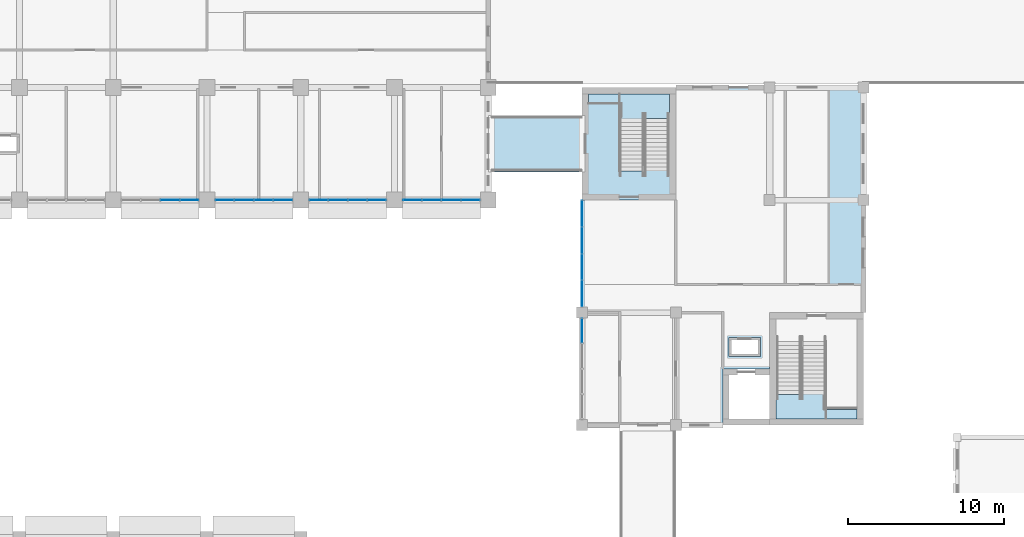
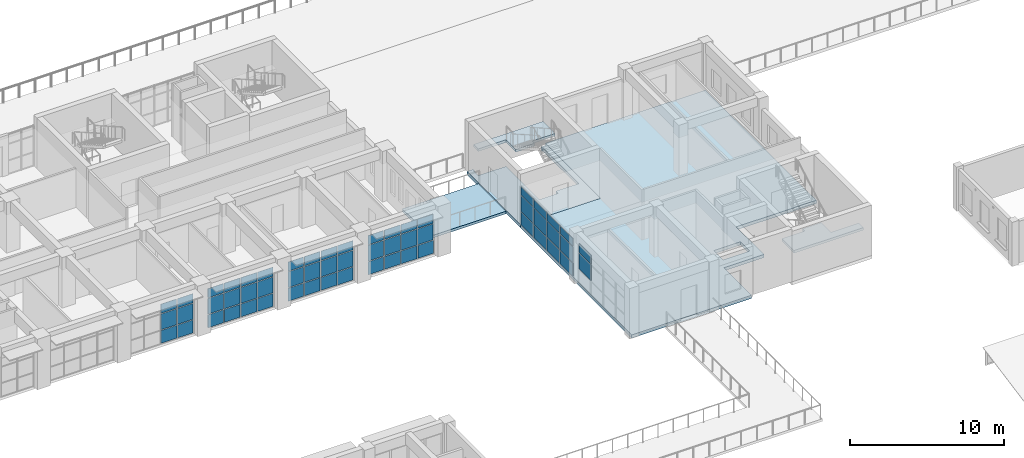
# One storey, part 63 of 101: 56 plates, 5 slabs, 8 elements without a shape of their own.
"""IFC4 building model written with IfcOpenShell, lengths in metres."""

from ifc_helpers import new_model, si_unit, direction, frame, origin, origin_2d, place, context, subcontext, project, spatial, polyline, rectangle, outline, extrude, material, layer, layer_set, type_object, element, aggregate, save


model = new_model("IFC4")

# Units and contexts
model_context = context("Model", 3, precision=1e-05, world=origin(), true_north=direction((0.0, 1.0)))
body_context = subcontext(model_context, "Body", "Model", "MODEL_VIEW")
ifc_project = project(units=[si_unit("LENGTHUNIT", "METRE"), si_unit("AREAUNIT", "SQUARE_METRE"), si_unit("VOLUMEUNIT", "CUBIC_METRE"), si_unit("PLANEANGLEUNIT", "RADIAN"), si_unit("MASSUNIT", "GRAM", prefix="KILO")], contexts=[model_context])

# Site, building, storey
site_placement = place(None, origin())
site = spatial("IfcSite", under=ifc_project, at=site_placement, CompositionType="ELEMENT")
building_placement = place(site_placement, origin())
building = spatial("IfcBuilding", under=site, at=building_placement, Name="Laocheng Heights Fire and Rescue Headquarters", CompositionType="ELEMENT")
storey_placement = place(building_placement, frame((0.0, 0.0, 8.39990234375)))
storey = spatial("IfcBuildingStorey", under=building, at=storey_placement, Name="L02", CompositionType="ELEMENT", Elevation=8.39990234375)

# Curtain wall, plates
ifc_material_1 = material(Name="Dark anodised aluminium unitised curtain wall, low-e double glazing", Category="aluminium")
curtain_wall_type_1 = type_object("IfcCurtainWallType", Name="CW 6850 x 3100 CREW COURT GLAZING", PredefinedType="NOTDEFINED", material=ifc_material_1)
curtain_wall_1_placement = place(storey_placement, origin())
curtain_wall_1 = element("IfcCurtainWall", 1, at=curtain_wall_1_placement, inside=storey, type_object=curtain_wall_type_1, Name="X5-W CREW WEST L02", PredefinedType="NOTDEFINED")
ifc_material_2 = material(Name="Laminated safety glass, low-e double glazed unit", Category="glass")
ifc_layer_1 = layer(ifc_material_2, 0.0400390625)
ifc_layer_set_1 = layer_set([ifc_layer_1], Name="Laminated safety glass, low-e double glazed unit")
plate_type_1 = type_object("IfcPlateType", Name="CW LAMINATED SAFETY PANEL 40 W", PredefinedType="CURTAIN_PANEL", material=ifc_layer_set_1)
plate_1_placement = place(storey_placement, frame((90.0, 44.421142578125, 0.050048828125), z_axis=(0.0, 0.0, 1.0), x_axis=(0.0, 1.0, 0.0)))
plate_1 = element("IfcPlate", 2, at=plate_1_placement, type_object=plate_type_1, Name="X5-W panel 1.1", PredefinedType="CURTAIN_PANEL", context=body_context, shape_type="SweptSolid", body=[
    extrude(rectangle(XDim=1.62255859375, YDim=0.0400390625, at=origin_2d()), origin(), (0.0, 0.0, 1.0), 1.02490234375),
])
plate_2_placement = place(storey_placement, frame((90.0, 46.11865234375, 0.050048828125), z_axis=(0.0, 0.0, 1.0), x_axis=(0.0, 1.0, 0.0)))
plate_2 = element("IfcPlate", 3, at=plate_2_placement, type_object=plate_type_1, Name="X5-W panel 2.1", PredefinedType="CURTAIN_PANEL", context=body_context, shape_type="SweptSolid", body=[
    extrude(rectangle(XDim=1.652587890625, YDim=0.0400390625, at=origin_2d()), origin(), (0.0, 0.0, 1.0), 1.02490234375),
])
plate_3_placement = place(storey_placement, frame((90.0, 47.831298828125, 0.050048828125), z_axis=(0.0, 0.0, 1.0), x_axis=(0.0, 1.0, 0.0)))
plate_3 = element("IfcPlate", 4, at=plate_3_placement, type_object=plate_type_1, Name="X5-W panel 3.1", PredefinedType="CURTAIN_PANEL", context=body_context, shape_type="SweptSolid", body=[
    extrude(rectangle(XDim=1.652587890625, YDim=0.0400390625, at=origin_2d()), origin(), (0.0, 0.0, 1.0), 1.02490234375),
])
plate_4_placement = place(storey_placement, frame((90.0, 49.52880859375, 0.050048828125), z_axis=(0.0, 0.0, 1.0), x_axis=(0.0, 1.0, 0.0)))
plate_4 = element("IfcPlate", 5, at=plate_4_placement, type_object=plate_type_1, Name="X5-W panel 4.1", PredefinedType="CURTAIN_PANEL", context=body_context, shape_type="SweptSolid", body=[
    extrude(rectangle(XDim=1.62255859375, YDim=0.0400390625, at=origin_2d()), origin(), (0.0, 0.0, 1.0), 1.02490234375),
])

ifc_material_3 = material(Name="Dark anodised aluminium unitised curtain wall, low-e double glazing", Category="aluminium")
curtain_wall_type_2 = type_object("IfcCurtainWallType", Name="CW 5000 x 3200 HQ SOUTH RIBBON", PredefinedType="NOTDEFINED", material=ifc_material_3)
curtain_wall_2_placement = place(storey_placement, origin())
curtain_wall_2 = element("IfcCurtainWall", 6, at=curtain_wall_2_placement, inside=storey, type_object=curtain_wall_type_2, Name="X10-X HQ SOUTH L02", PredefinedType="NOTDEFINED")
ifc_material_4 = material(Name="Laminated safety glass, low-e double glazed unit", Category="glass")
ifc_layer_2 = layer(ifc_material_4, 0.0400390625)
ifc_layer_set_2 = layer_set([ifc_layer_2], Name="Laminated safety glass, low-e double glazed unit")
plate_type_2 = type_object("IfcPlateType", Name="CW LAMINATED SAFETY PANEL 40 X", PredefinedType="CURTAIN_PANEL", material=ifc_layer_set_2)
plate_5_placement = place(storey_placement, frame((63.625, 50.39990234375, 0.050048828125), z_axis=(0.0, 0.0, 1.0), x_axis=(1.0, 0.0, 0.0)))
plate_5 = element("IfcPlate", 7, at=plate_5_placement, type_object=plate_type_2, Name="X10-X panel 3.1", PredefinedType="CURTAIN_PANEL", context=body_context, shape_type="SweptSolid", body=[
    extrude(rectangle(XDim=1.18994140625, YDim=0.0400390625, at=origin_2d()), origin(), (0.0, 0.0, 1.0), 1.02490234375),
])
plate_6_placement = place(storey_placement, frame((64.860107421875, 50.39990234375, 0.050048828125), z_axis=(0.0, 0.0, 1.0), x_axis=(1.0, 0.0, 0.0)))
plate_6 = element("IfcPlate", 8, at=plate_6_placement, type_object=plate_type_2, Name="X10-X panel 4.1", PredefinedType="CURTAIN_PANEL", context=body_context, shape_type="SweptSolid", body=[
    extrude(rectangle(XDim=1.159912109375, YDim=0.0400390625, at=origin_2d()), origin(), (0.0, 0.0, 1.0), 1.02490234375),
])

curtain_wall_3_placement = place(storey_placement, origin())
curtain_wall_3 = element("IfcCurtainWall", 9, at=curtain_wall_3_placement, inside=storey, type_object=curtain_wall_type_2, Name="X10-X HQ SOUTH L02", PredefinedType="NOTDEFINED")
plate_7_placement = place(storey_placement, frame((67.139892578125, 50.39990234375, 0.050048828125), z_axis=(0.0, 0.0, 1.0), x_axis=(1.0, 0.0, 0.0)))
plate_7 = element("IfcPlate", 10, at=plate_7_placement, type_object=plate_type_2, Name="X10-X panel 1.1", PredefinedType="CURTAIN_PANEL", context=body_context, shape_type="SweptSolid", body=[
    extrude(rectangle(XDim=1.159912109375, YDim=0.0400390625, at=origin_2d()), origin(), (0.0, 0.0, 1.0), 1.02490234375),
])
plate_8_placement = place(storey_placement, frame((68.375, 50.39990234375, 0.050048828125), z_axis=(0.0, 0.0, 1.0), x_axis=(1.0, 0.0, 0.0)))
plate_8 = element("IfcPlate", 11, at=plate_8_placement, type_object=plate_type_2, Name="X10-X panel 2.1", PredefinedType="CURTAIN_PANEL", context=body_context, shape_type="SweptSolid", body=[
    extrude(rectangle(XDim=1.18994140625, YDim=0.0400390625, at=origin_2d()), origin(), (0.0, 0.0, 1.0), 1.02490234375),
])
plate_9_placement = place(storey_placement, frame((69.625, 50.39990234375, 0.050048828125), z_axis=(0.0, 0.0, 1.0), x_axis=(1.0, 0.0, 0.0)))
plate_9 = element("IfcPlate", 12, at=plate_9_placement, type_object=plate_type_2, Name="X10-X panel 3.1", PredefinedType="CURTAIN_PANEL", context=body_context, shape_type="SweptSolid", body=[
    extrude(rectangle(XDim=1.18994140625, YDim=0.0400390625, at=origin_2d()), origin(), (0.0, 0.0, 1.0), 1.02490234375),
])
plate_10_placement = place(storey_placement, frame((70.860107421875, 50.39990234375, 0.050048828125), z_axis=(0.0, 0.0, 1.0), x_axis=(1.0, 0.0, 0.0)))
plate_10 = element("IfcPlate", 13, at=plate_10_placement, type_object=plate_type_2, Name="X10-X panel 4.1", PredefinedType="CURTAIN_PANEL", context=body_context, shape_type="SweptSolid", body=[
    extrude(rectangle(XDim=1.159912109375, YDim=0.0400390625, at=origin_2d()), origin(), (0.0, 0.0, 1.0), 1.02490234375),
])

curtain_wall_4_placement = place(storey_placement, origin())
curtain_wall_4 = element("IfcCurtainWall", 14, at=curtain_wall_4_placement, inside=storey, type_object=curtain_wall_type_2, Name="X10-X HQ SOUTH L02", PredefinedType="NOTDEFINED")
plate_11_placement = place(storey_placement, frame((73.139892578125, 50.39990234375, 0.050048828125), z_axis=(0.0, 0.0, 1.0), x_axis=(1.0, 0.0, 0.0)))
plate_11 = element("IfcPlate", 15, at=plate_11_placement, type_object=plate_type_2, Name="X10-X panel 1.1", PredefinedType="CURTAIN_PANEL", context=body_context, shape_type="SweptSolid", body=[
    extrude(rectangle(XDim=1.159912109375, YDim=0.0400390625, at=origin_2d()), origin(), (0.0, 0.0, 1.0), 1.02490234375),
])
plate_12_placement = place(storey_placement, frame((74.375, 50.39990234375, 0.050048828125), z_axis=(0.0, 0.0, 1.0), x_axis=(1.0, 0.0, 0.0)))
plate_12 = element("IfcPlate", 16, at=plate_12_placement, type_object=plate_type_2, Name="X10-X panel 2.1", PredefinedType="CURTAIN_PANEL", context=body_context, shape_type="SweptSolid", body=[
    extrude(rectangle(XDim=1.18994140625, YDim=0.0400390625, at=origin_2d()), origin(), (0.0, 0.0, 1.0), 1.02490234375),
])
plate_13_placement = place(storey_placement, frame((75.625, 50.39990234375, 0.050048828125), z_axis=(0.0, 0.0, 1.0), x_axis=(1.0, 0.0, 0.0)))
plate_13 = element("IfcPlate", 17, at=plate_13_placement, type_object=plate_type_2, Name="X10-X panel 3.1", PredefinedType="CURTAIN_PANEL", context=body_context, shape_type="SweptSolid", body=[
    extrude(rectangle(XDim=1.18994140625, YDim=0.0400390625, at=origin_2d()), origin(), (0.0, 0.0, 1.0), 1.02490234375),
])
plate_14_placement = place(storey_placement, frame((76.860107421875, 50.39990234375, 0.050048828125), z_axis=(0.0, 0.0, 1.0), x_axis=(1.0, 0.0, 0.0)))
plate_14 = element("IfcPlate", 18, at=plate_14_placement, type_object=plate_type_2, Name="X10-X panel 4.1", PredefinedType="CURTAIN_PANEL", context=body_context, shape_type="SweptSolid", body=[
    extrude(rectangle(XDim=1.159912109375, YDim=0.0400390625, at=origin_2d()), origin(), (0.0, 0.0, 1.0), 1.02490234375),
])

curtain_wall_5_placement = place(storey_placement, origin())
curtain_wall_5 = element("IfcCurtainWall", 19, at=curtain_wall_5_placement, inside=storey, type_object=curtain_wall_type_2, Name="X10-X HQ SOUTH L02", PredefinedType="NOTDEFINED")
plate_15_placement = place(storey_placement, frame((79.139892578125, 50.39990234375, 0.050048828125), z_axis=(0.0, 0.0, 1.0), x_axis=(1.0, 0.0, 0.0)))
plate_15 = element("IfcPlate", 20, at=plate_15_placement, type_object=plate_type_2, Name="X10-X panel 1.1", PredefinedType="CURTAIN_PANEL", context=body_context, shape_type="SweptSolid", body=[
    extrude(rectangle(XDim=1.159912109375, YDim=0.0400390625, at=origin_2d()), origin(), (0.0, 0.0, 1.0), 1.02490234375),
])
plate_16_placement = place(storey_placement, frame((80.375, 50.39990234375, 0.050048828125), z_axis=(0.0, 0.0, 1.0), x_axis=(1.0, 0.0, 0.0)))
plate_16 = element("IfcPlate", 21, at=plate_16_placement, type_object=plate_type_2, Name="X10-X panel 2.1", PredefinedType="CURTAIN_PANEL", context=body_context, shape_type="SweptSolid", body=[
    extrude(rectangle(XDim=1.18994140625, YDim=0.0400390625, at=origin_2d()), origin(), (0.0, 0.0, 1.0), 1.02490234375),
])
plate_17_placement = place(storey_placement, frame((81.625, 50.39990234375, 0.050048828125), z_axis=(0.0, 0.0, 1.0), x_axis=(1.0, 0.0, 0.0)))
plate_17 = element("IfcPlate", 22, at=plate_17_placement, type_object=plate_type_2, Name="X10-X panel 3.1", PredefinedType="CURTAIN_PANEL", context=body_context, shape_type="SweptSolid", body=[
    extrude(rectangle(XDim=1.18994140625, YDim=0.0400390625, at=origin_2d()), origin(), (0.0, 0.0, 1.0), 1.02490234375),
])
plate_18_placement = place(storey_placement, frame((82.860107421875, 50.39990234375, 0.050048828125), z_axis=(0.0, 0.0, 1.0), x_axis=(1.0, 0.0, 0.0)))
plate_18 = element("IfcPlate", 23, at=plate_18_placement, type_object=plate_type_2, Name="X10-X panel 4.1", PredefinedType="CURTAIN_PANEL", context=body_context, shape_type="SweptSolid", body=[
    extrude(rectangle(XDim=1.159912109375, YDim=0.0400390625, at=origin_2d()), origin(), (0.0, 0.0, 1.0), 1.02490234375),
])

ifc_material_5 = material(Name="Dark anodised aluminium unitised curtain wall, low-e double glazing", Category="aluminium")
curtain_wall_type_3 = type_object("IfcCurtainWallType", Name="CW 6500 x 3200 CREW COURT GLAZING", PredefinedType="NOTDEFINED", material=ifc_material_5)
curtain_wall_6_placement = place(storey_placement, origin())
curtain_wall_6 = element("IfcCurtainWall", 24, at=curtain_wall_6_placement, inside=storey, type_object=curtain_wall_type_3, Name="X4-W CREW WEST L02", PredefinedType="NOTDEFINED")
ifc_material_6 = material(Name="Low-e double glazed unit, laminated inner pane")
ifc_layer_3 = layer(ifc_material_6, 0.028076171875)
ifc_layer_set_3 = layer_set([ifc_layer_3], Name="Low-e double glazed unit, laminated inner pane")
plate_type_3 = type_object("IfcPlateType", Name="CW VISION PANEL 28 W", PredefinedType="CURTAIN_PANEL", material=ifc_layer_set_3)
plate_19_placement = place(storey_placement, frame((90.0, 42.0224609375, 1.125), z_axis=(0.0, 0.0, 1.0), x_axis=(0.0, 1.0, 0.0)))
plate_19 = element("IfcPlate", 25, at=plate_19_placement, type_object=plate_type_3, Name="X4-W panel 4.2", PredefinedType="CURTAIN_PANEL", context=body_context, shape_type="SweptSolid", body=[
    extrude(rectangle(XDim=1.534912109375, YDim=0.028076171875, at=origin_2d()), origin(), (0.0, 0.0, 1.0), 1.25),
])
plate_20_placement = place(storey_placement, frame((90.0, 42.0224609375, 2.425048828125), z_axis=(0.0, 0.0, 1.0), x_axis=(0.0, 1.0, 0.0)))
plate_20 = element("IfcPlate", 26, at=plate_20_placement, type_object=plate_type_3, Name="X4-W panel 4.3", PredefinedType="CURTAIN_PANEL", context=body_context, shape_type="SweptSolid", body=[
    extrude(rectangle(XDim=1.534912109375, YDim=0.028076171875, at=origin_2d()), origin(), (0.0, 0.0, 1.0), 0.72509765625),
])
aggregate(curtain_wall_6, [plate_19, plate_20])

# Plate
plate_21_placement = place(storey_placement, frame((90.0, 44.421142578125, 1.125), z_axis=(0.0, 0.0, 1.0), x_axis=(0.0, 1.0, 0.0)))
plate_21 = element("IfcPlate", 27, at=plate_21_placement, type_object=plate_type_3, Name="X5-W panel 1.2", PredefinedType="CURTAIN_PANEL", context=body_context, shape_type="SweptSolid", body=[
    extrude(rectangle(XDim=1.62255859375, YDim=0.028076171875, at=origin_2d()), origin(), (0.0, 0.0, 1.0), 1.25),
])

plate_22_placement = place(storey_placement, frame((90.0, 44.421142578125, 2.425048828125), z_axis=(0.0, 0.0, 1.0), x_axis=(0.0, 1.0, 0.0)))
plate_22 = element("IfcPlate", 28, at=plate_22_placement, type_object=plate_type_3, Name="X5-W panel 1.3", PredefinedType="CURTAIN_PANEL", context=body_context, shape_type="SweptSolid", body=[
    extrude(rectangle(XDim=1.62255859375, YDim=0.028076171875, at=origin_2d()), origin(), (0.0, 0.0, 1.0), 0.625),
])

plate_23_placement = place(storey_placement, frame((90.0, 46.11865234375, 1.125), z_axis=(0.0, 0.0, 1.0), x_axis=(0.0, 1.0, 0.0)))
plate_23 = element("IfcPlate", 29, at=plate_23_placement, type_object=plate_type_3, Name="X5-W panel 2.2", PredefinedType="CURTAIN_PANEL", context=body_context, shape_type="SweptSolid", body=[
    extrude(rectangle(XDim=1.652587890625, YDim=0.028076171875, at=origin_2d()), origin(), (0.0, 0.0, 1.0), 1.25),
])

plate_24_placement = place(storey_placement, frame((90.0, 46.11865234375, 2.425048828125), z_axis=(0.0, 0.0, 1.0), x_axis=(0.0, 1.0, 0.0)))
plate_24 = element("IfcPlate", 30, at=plate_24_placement, type_object=plate_type_3, Name="X5-W panel 2.3", PredefinedType="CURTAIN_PANEL", context=body_context, shape_type="SweptSolid", body=[
    extrude(rectangle(XDim=1.652587890625, YDim=0.028076171875, at=origin_2d()), origin(), (0.0, 0.0, 1.0), 0.625),
])

plate_25_placement = place(storey_placement, frame((90.0, 47.831298828125, 1.125), z_axis=(0.0, 0.0, 1.0), x_axis=(0.0, 1.0, 0.0)))
plate_25 = element("IfcPlate", 31, at=plate_25_placement, type_object=plate_type_3, Name="X5-W panel 3.2", PredefinedType="CURTAIN_PANEL", context=body_context, shape_type="SweptSolid", body=[
    extrude(rectangle(XDim=1.652587890625, YDim=0.028076171875, at=origin_2d()), origin(), (0.0, 0.0, 1.0), 1.25),
])

plate_26_placement = place(storey_placement, frame((90.0, 47.831298828125, 2.425048828125), z_axis=(0.0, 0.0, 1.0), x_axis=(0.0, 1.0, 0.0)))
plate_26 = element("IfcPlate", 32, at=plate_26_placement, type_object=plate_type_3, Name="X5-W panel 3.3", PredefinedType="CURTAIN_PANEL", context=body_context, shape_type="SweptSolid", body=[
    extrude(rectangle(XDim=1.652587890625, YDim=0.028076171875, at=origin_2d()), origin(), (0.0, 0.0, 1.0), 0.625),
])

plate_27_placement = place(storey_placement, frame((90.0, 49.52880859375, 1.125), z_axis=(0.0, 0.0, 1.0), x_axis=(0.0, 1.0, 0.0)))
plate_27 = element("IfcPlate", 33, at=plate_27_placement, type_object=plate_type_3, Name="X5-W panel 4.2", PredefinedType="CURTAIN_PANEL", context=body_context, shape_type="SweptSolid", body=[
    extrude(rectangle(XDim=1.62255859375, YDim=0.028076171875, at=origin_2d()), origin(), (0.0, 0.0, 1.0), 1.25),
])

plate_28_placement = place(storey_placement, frame((90.0, 49.52880859375, 2.425048828125), z_axis=(0.0, 0.0, 1.0), x_axis=(0.0, 1.0, 0.0)))
plate_28 = element("IfcPlate", 34, at=plate_28_placement, type_object=plate_type_3, Name="X5-W panel 4.3", PredefinedType="CURTAIN_PANEL", context=body_context, shape_type="SweptSolid", body=[
    extrude(rectangle(XDim=1.62255859375, YDim=0.028076171875, at=origin_2d()), origin(), (0.0, 0.0, 1.0), 0.625),
])

aggregate(curtain_wall_1, [plate_1, plate_21, plate_22, plate_2, plate_23, plate_24, plate_3, plate_25, plate_26, plate_4, plate_27, plate_28])

ifc_material_7 = material(Name="Low-e double glazed unit, laminated inner pane")
ifc_layer_4 = layer(ifc_material_7, 0.028076171875)
ifc_layer_set_4 = layer_set([ifc_layer_4], Name="Low-e double glazed unit, laminated inner pane")
plate_type_4 = type_object("IfcPlateType", Name="CW VISION PANEL 28 X", PredefinedType="CURTAIN_PANEL", material=ifc_layer_set_4)
plate_29_placement = place(storey_placement, frame((63.625, 50.39990234375, 1.125), z_axis=(0.0, 0.0, 1.0), x_axis=(1.0, 0.0, 0.0)))
plate_29 = element("IfcPlate", 35, at=plate_29_placement, type_object=plate_type_4, Name="X10-X panel 3.2", PredefinedType="CURTAIN_PANEL", context=body_context, shape_type="SweptSolid", body=[
    extrude(rectangle(XDim=1.18994140625, YDim=0.028076171875, at=origin_2d()), origin(), (0.0, 0.0, 1.0), 1.25),
])

plate_30_placement = place(storey_placement, frame((63.625, 50.39990234375, 2.425048828125), z_axis=(0.0, 0.0, 1.0), x_axis=(1.0, 0.0, 0.0)))
plate_30 = element("IfcPlate", 36, at=plate_30_placement, type_object=plate_type_4, Name="X10-X panel 3.3", PredefinedType="CURTAIN_PANEL", context=body_context, shape_type="SweptSolid", body=[
    extrude(rectangle(XDim=1.18994140625, YDim=0.028076171875, at=origin_2d()), origin(), (0.0, 0.0, 1.0), 0.72509765625),
])

plate_31_placement = place(storey_placement, frame((64.860107421875, 50.39990234375, 1.125), z_axis=(0.0, 0.0, 1.0), x_axis=(1.0, 0.0, 0.0)))
plate_31 = element("IfcPlate", 37, at=plate_31_placement, type_object=plate_type_4, Name="X10-X panel 4.2", PredefinedType="CURTAIN_PANEL", context=body_context, shape_type="SweptSolid", body=[
    extrude(rectangle(XDim=1.159912109375, YDim=0.028076171875, at=origin_2d()), origin(), (0.0, 0.0, 1.0), 1.25),
])

plate_32_placement = place(storey_placement, frame((64.860107421875, 50.39990234375, 2.425048828125), z_axis=(0.0, 0.0, 1.0), x_axis=(1.0, 0.0, 0.0)))
plate_32 = element("IfcPlate", 38, at=plate_32_placement, type_object=plate_type_4, Name="X10-X panel 4.3", PredefinedType="CURTAIN_PANEL", context=body_context, shape_type="SweptSolid", body=[
    extrude(rectangle(XDim=1.159912109375, YDim=0.028076171875, at=origin_2d()), origin(), (0.0, 0.0, 1.0), 0.72509765625),
])

aggregate(curtain_wall_2, [plate_5, plate_29, plate_30, plate_6, plate_31, plate_32])

plate_33_placement = place(storey_placement, frame((67.139892578125, 50.39990234375, 1.125), z_axis=(0.0, 0.0, 1.0), x_axis=(1.0, 0.0, 0.0)))
plate_33 = element("IfcPlate", 39, at=plate_33_placement, type_object=plate_type_4, Name="X10-X panel 1.2", PredefinedType="CURTAIN_PANEL", context=body_context, shape_type="SweptSolid", body=[
    extrude(rectangle(XDim=1.159912109375, YDim=0.028076171875, at=origin_2d()), origin(), (0.0, 0.0, 1.0), 1.25),
])

plate_34_placement = place(storey_placement, frame((67.139892578125, 50.39990234375, 2.425048828125), z_axis=(0.0, 0.0, 1.0), x_axis=(1.0, 0.0, 0.0)))
plate_34 = element("IfcPlate", 40, at=plate_34_placement, type_object=plate_type_4, Name="X10-X panel 1.3", PredefinedType="CURTAIN_PANEL", context=body_context, shape_type="SweptSolid", body=[
    extrude(rectangle(XDim=1.159912109375, YDim=0.028076171875, at=origin_2d()), origin(), (0.0, 0.0, 1.0), 0.72509765625),
])

plate_35_placement = place(storey_placement, frame((68.375, 50.39990234375, 1.125), z_axis=(0.0, 0.0, 1.0), x_axis=(1.0, 0.0, 0.0)))
plate_35 = element("IfcPlate", 41, at=plate_35_placement, type_object=plate_type_4, Name="X10-X panel 2.2", PredefinedType="CURTAIN_PANEL", context=body_context, shape_type="SweptSolid", body=[
    extrude(rectangle(XDim=1.18994140625, YDim=0.028076171875, at=origin_2d()), origin(), (0.0, 0.0, 1.0), 1.25),
])

plate_36_placement = place(storey_placement, frame((68.375, 50.39990234375, 2.425048828125), z_axis=(0.0, 0.0, 1.0), x_axis=(1.0, 0.0, 0.0)))
plate_36 = element("IfcPlate", 42, at=plate_36_placement, type_object=plate_type_4, Name="X10-X panel 2.3", PredefinedType="CURTAIN_PANEL", context=body_context, shape_type="SweptSolid", body=[
    extrude(rectangle(XDim=1.18994140625, YDim=0.028076171875, at=origin_2d()), origin(), (0.0, 0.0, 1.0), 0.72509765625),
])

plate_37_placement = place(storey_placement, frame((69.625, 50.39990234375, 1.125), z_axis=(0.0, 0.0, 1.0), x_axis=(1.0, 0.0, 0.0)))
plate_37 = element("IfcPlate", 43, at=plate_37_placement, type_object=plate_type_4, Name="X10-X panel 3.2", PredefinedType="CURTAIN_PANEL", context=body_context, shape_type="SweptSolid", body=[
    extrude(rectangle(XDim=1.18994140625, YDim=0.028076171875, at=origin_2d()), origin(), (0.0, 0.0, 1.0), 1.25),
])

plate_38_placement = place(storey_placement, frame((69.625, 50.39990234375, 2.425048828125), z_axis=(0.0, 0.0, 1.0), x_axis=(1.0, 0.0, 0.0)))
plate_38 = element("IfcPlate", 44, at=plate_38_placement, type_object=plate_type_4, Name="X10-X panel 3.3", PredefinedType="CURTAIN_PANEL", context=body_context, shape_type="SweptSolid", body=[
    extrude(rectangle(XDim=1.18994140625, YDim=0.028076171875, at=origin_2d()), origin(), (0.0, 0.0, 1.0), 0.72509765625),
])

plate_39_placement = place(storey_placement, frame((70.860107421875, 50.39990234375, 1.125), z_axis=(0.0, 0.0, 1.0), x_axis=(1.0, 0.0, 0.0)))
plate_39 = element("IfcPlate", 45, at=plate_39_placement, type_object=plate_type_4, Name="X10-X panel 4.2", PredefinedType="CURTAIN_PANEL", context=body_context, shape_type="SweptSolid", body=[
    extrude(rectangle(XDim=1.159912109375, YDim=0.028076171875, at=origin_2d()), origin(), (0.0, 0.0, 1.0), 1.25),
])

plate_40_placement = place(storey_placement, frame((70.860107421875, 50.39990234375, 2.425048828125), z_axis=(0.0, 0.0, 1.0), x_axis=(1.0, 0.0, 0.0)))
plate_40 = element("IfcPlate", 46, at=plate_40_placement, type_object=plate_type_4, Name="X10-X panel 4.3", PredefinedType="CURTAIN_PANEL", context=body_context, shape_type="SweptSolid", body=[
    extrude(rectangle(XDim=1.159912109375, YDim=0.028076171875, at=origin_2d()), origin(), (0.0, 0.0, 1.0), 0.72509765625),
])

aggregate(curtain_wall_3, [plate_7, plate_33, plate_34, plate_8, plate_35, plate_36, plate_9, plate_37, plate_38, plate_10, plate_39, plate_40])

plate_41_placement = place(storey_placement, frame((73.139892578125, 50.39990234375, 1.125), z_axis=(0.0, 0.0, 1.0), x_axis=(1.0, 0.0, 0.0)))
plate_41 = element("IfcPlate", 47, at=plate_41_placement, type_object=plate_type_4, Name="X10-X panel 1.2", PredefinedType="CURTAIN_PANEL", context=body_context, shape_type="SweptSolid", body=[
    extrude(rectangle(XDim=1.159912109375, YDim=0.028076171875, at=origin_2d()), origin(), (0.0, 0.0, 1.0), 1.25),
])

plate_42_placement = place(storey_placement, frame((73.139892578125, 50.39990234375, 2.425048828125), z_axis=(0.0, 0.0, 1.0), x_axis=(1.0, 0.0, 0.0)))
plate_42 = element("IfcPlate", 48, at=plate_42_placement, type_object=plate_type_4, Name="X10-X panel 1.3", PredefinedType="CURTAIN_PANEL", context=body_context, shape_type="SweptSolid", body=[
    extrude(rectangle(XDim=1.159912109375, YDim=0.028076171875, at=origin_2d()), origin(), (0.0, 0.0, 1.0), 0.72509765625),
])

plate_43_placement = place(storey_placement, frame((74.375, 50.39990234375, 1.125), z_axis=(0.0, 0.0, 1.0), x_axis=(1.0, 0.0, 0.0)))
plate_43 = element("IfcPlate", 49, at=plate_43_placement, type_object=plate_type_4, Name="X10-X panel 2.2", PredefinedType="CURTAIN_PANEL", context=body_context, shape_type="SweptSolid", body=[
    extrude(rectangle(XDim=1.18994140625, YDim=0.028076171875, at=origin_2d()), origin(), (0.0, 0.0, 1.0), 1.25),
])

plate_44_placement = place(storey_placement, frame((74.375, 50.39990234375, 2.425048828125), z_axis=(0.0, 0.0, 1.0), x_axis=(1.0, 0.0, 0.0)))
plate_44 = element("IfcPlate", 50, at=plate_44_placement, type_object=plate_type_4, Name="X10-X panel 2.3", PredefinedType="CURTAIN_PANEL", context=body_context, shape_type="SweptSolid", body=[
    extrude(rectangle(XDim=1.18994140625, YDim=0.028076171875, at=origin_2d()), origin(), (0.0, 0.0, 1.0), 0.72509765625),
])

plate_45_placement = place(storey_placement, frame((75.625, 50.39990234375, 1.125), z_axis=(0.0, 0.0, 1.0), x_axis=(1.0, 0.0, 0.0)))
plate_45 = element("IfcPlate", 51, at=plate_45_placement, type_object=plate_type_4, Name="X10-X panel 3.2", PredefinedType="CURTAIN_PANEL", context=body_context, shape_type="SweptSolid", body=[
    extrude(rectangle(XDim=1.18994140625, YDim=0.028076171875, at=origin_2d()), origin(), (0.0, 0.0, 1.0), 1.25),
])

plate_46_placement = place(storey_placement, frame((75.625, 50.39990234375, 2.425048828125), z_axis=(0.0, 0.0, 1.0), x_axis=(1.0, 0.0, 0.0)))
plate_46 = element("IfcPlate", 52, at=plate_46_placement, type_object=plate_type_4, Name="X10-X panel 3.3", PredefinedType="CURTAIN_PANEL", context=body_context, shape_type="SweptSolid", body=[
    extrude(rectangle(XDim=1.18994140625, YDim=0.028076171875, at=origin_2d()), origin(), (0.0, 0.0, 1.0), 0.72509765625),
])

plate_47_placement = place(storey_placement, frame((76.860107421875, 50.39990234375, 1.125), z_axis=(0.0, 0.0, 1.0), x_axis=(1.0, 0.0, 0.0)))
plate_47 = element("IfcPlate", 53, at=plate_47_placement, type_object=plate_type_4, Name="X10-X panel 4.2", PredefinedType="CURTAIN_PANEL", context=body_context, shape_type="SweptSolid", body=[
    extrude(rectangle(XDim=1.159912109375, YDim=0.028076171875, at=origin_2d()), origin(), (0.0, 0.0, 1.0), 1.25),
])

plate_48_placement = place(storey_placement, frame((76.860107421875, 50.39990234375, 2.425048828125), z_axis=(0.0, 0.0, 1.0), x_axis=(1.0, 0.0, 0.0)))
plate_48 = element("IfcPlate", 54, at=plate_48_placement, type_object=plate_type_4, Name="X10-X panel 4.3", PredefinedType="CURTAIN_PANEL", context=body_context, shape_type="SweptSolid", body=[
    extrude(rectangle(XDim=1.159912109375, YDim=0.028076171875, at=origin_2d()), origin(), (0.0, 0.0, 1.0), 0.72509765625),
])

aggregate(curtain_wall_4, [plate_11, plate_41, plate_42, plate_12, plate_43, plate_44, plate_13, plate_45, plate_46, plate_14, plate_47, plate_48])

plate_49_placement = place(storey_placement, frame((79.139892578125, 50.39990234375, 1.125), z_axis=(0.0, 0.0, 1.0), x_axis=(1.0, 0.0, 0.0)))
plate_49 = element("IfcPlate", 55, at=plate_49_placement, type_object=plate_type_4, Name="X10-X panel 1.2", PredefinedType="CURTAIN_PANEL", context=body_context, shape_type="SweptSolid", body=[
    extrude(rectangle(XDim=1.159912109375, YDim=0.028076171875, at=origin_2d()), origin(), (0.0, 0.0, 1.0), 1.25),
])

plate_50_placement = place(storey_placement, frame((79.139892578125, 50.39990234375, 2.425048828125), z_axis=(0.0, 0.0, 1.0), x_axis=(1.0, 0.0, 0.0)))
plate_50 = element("IfcPlate", 56, at=plate_50_placement, type_object=plate_type_4, Name="X10-X panel 1.3", PredefinedType="CURTAIN_PANEL", context=body_context, shape_type="SweptSolid", body=[
    extrude(rectangle(XDim=1.159912109375, YDim=0.028076171875, at=origin_2d()), origin(), (0.0, 0.0, 1.0), 0.72509765625),
])

plate_51_placement = place(storey_placement, frame((80.375, 50.39990234375, 1.125), z_axis=(0.0, 0.0, 1.0), x_axis=(1.0, 0.0, 0.0)))
plate_51 = element("IfcPlate", 57, at=plate_51_placement, type_object=plate_type_4, Name="X10-X panel 2.2", PredefinedType="CURTAIN_PANEL", context=body_context, shape_type="SweptSolid", body=[
    extrude(rectangle(XDim=1.18994140625, YDim=0.028076171875, at=origin_2d()), origin(), (0.0, 0.0, 1.0), 1.25),
])

plate_52_placement = place(storey_placement, frame((80.375, 50.39990234375, 2.425048828125), z_axis=(0.0, 0.0, 1.0), x_axis=(1.0, 0.0, 0.0)))
plate_52 = element("IfcPlate", 58, at=plate_52_placement, type_object=plate_type_4, Name="X10-X panel 2.3", PredefinedType="CURTAIN_PANEL", context=body_context, shape_type="SweptSolid", body=[
    extrude(rectangle(XDim=1.18994140625, YDim=0.028076171875, at=origin_2d()), origin(), (0.0, 0.0, 1.0), 0.72509765625),
])

plate_53_placement = place(storey_placement, frame((81.625, 50.39990234375, 1.125), z_axis=(0.0, 0.0, 1.0), x_axis=(1.0, 0.0, 0.0)))
plate_53 = element("IfcPlate", 59, at=plate_53_placement, type_object=plate_type_4, Name="X10-X panel 3.2", PredefinedType="CURTAIN_PANEL", context=body_context, shape_type="SweptSolid", body=[
    extrude(rectangle(XDim=1.18994140625, YDim=0.028076171875, at=origin_2d()), origin(), (0.0, 0.0, 1.0), 1.25),
])

plate_54_placement = place(storey_placement, frame((81.625, 50.39990234375, 2.425048828125), z_axis=(0.0, 0.0, 1.0), x_axis=(1.0, 0.0, 0.0)))
plate_54 = element("IfcPlate", 60, at=plate_54_placement, type_object=plate_type_4, Name="X10-X panel 3.3", PredefinedType="CURTAIN_PANEL", context=body_context, shape_type="SweptSolid", body=[
    extrude(rectangle(XDim=1.18994140625, YDim=0.028076171875, at=origin_2d()), origin(), (0.0, 0.0, 1.0), 0.72509765625),
])

plate_55_placement = place(storey_placement, frame((82.860107421875, 50.39990234375, 1.125), z_axis=(0.0, 0.0, 1.0), x_axis=(1.0, 0.0, 0.0)))
plate_55 = element("IfcPlate", 61, at=plate_55_placement, type_object=plate_type_4, Name="X10-X panel 4.2", PredefinedType="CURTAIN_PANEL", context=body_context, shape_type="SweptSolid", body=[
    extrude(rectangle(XDim=1.159912109375, YDim=0.028076171875, at=origin_2d()), origin(), (0.0, 0.0, 1.0), 1.25),
])

plate_56_placement = place(storey_placement, frame((82.860107421875, 50.39990234375, 2.425048828125), z_axis=(0.0, 0.0, 1.0), x_axis=(1.0, 0.0, 0.0)))
plate_56 = element("IfcPlate", 62, at=plate_56_placement, type_object=plate_type_4, Name="X10-X panel 4.3", PredefinedType="CURTAIN_PANEL", context=body_context, shape_type="SweptSolid", body=[
    extrude(rectangle(XDim=1.159912109375, YDim=0.028076171875, at=origin_2d()), origin(), (0.0, 0.0, 1.0), 0.72509765625),
])

aggregate(curtain_wall_5, [plate_15, plate_49, plate_50, plate_16, plate_51, plate_52, plate_17, plate_53, plate_54, plate_18, plate_55, plate_56])

# Slabs
ifc_material_8 = material(Name="Concrete C40", Category="concrete")
ifc_layer_5 = layer(ifc_material_8, 0.199951171875)
ifc_layer_set_5 = layer_set([ifc_layer_5], Name="Concrete C40")
slab_type_1 = type_object("IfcSlabType", Name="RC BRIDGE DECK 200", PredefinedType="FLOOR", material=ifc_layer_set_5)
slab_1_placement = place(storey_placement, frame((0.0, 0.0, -0.199951171875)))
element("IfcSlab", 63, at=slab_1_placement, inside=storey, type_object=slab_type_1, Name="Bridge B3 deck", PredefinedType="FLOOR", context=body_context, shape_type="SweptSolid", body=[
    extrude(outline(polyline([(89.949951171875, 52.199951171875), (89.949951171875, 55.800048828125), (84.25, 55.800048828125), (84.25, 52.199951171875), (89.949951171875, 52.199951171875)])), origin(), (0.0, 0.0, 1.0), 0.199951171875),
])
ifc_material_9 = material(Name="Concrete C40", Category="concrete")
ifc_layer_6 = layer(ifc_material_9, 0.25)
ifc_layer_set_6 = layer_set([ifc_layer_6], Name="Concrete C40")
slab_type_2 = type_object("IfcSlabType", Name="RC FLOOR SLAB 250 CREW", PredefinedType="FLOOR", material=ifc_layer_set_6)
slab_2_placement = place(storey_placement, frame((0.0, 0.0, -0.25)))
element("IfcSlab", 64, at=slab_2_placement, inside=storey, type_object=slab_type_2, Name="Crew floor L02", PredefinedType="FLOOR", context=body_context, shape_type="SweptSolid", body=[
    extrude(outline(polyline([(108.0, 57.60009765625), (96.0, 57.60009765625), (96.0, 50.39990234375), (90.0, 50.39990234375), (90.0, 36.0), (99.0, 36.0), (99.0, 39.60009765625), (102.0, 39.60009765625), (102.0, 43.199951171875), (108.0, 43.199951171875), (108.0, 57.60009765625)]), holes=[polyline([(101.39990234375, 41.60009765625), (101.39990234375, 40.39990234375), (99.39990234375, 40.39990234375), (99.39990234375, 41.60009765625), (101.39990234375, 41.60009765625)])]), origin(), (0.0, 0.0, 1.0), 0.25),
])

# Stair, slab
ifc_material_10 = material(Name="Concrete C40", Category="concrete")
stair_type = type_object("IfcStairType", Name="RC STAIR 1400 TWO FLIGHTS 28 RISERS OF 150 GOING 260", PredefinedType="HALF_TURN_STAIR", material=ifc_material_10)
stair_1_placement = place(storey_placement, origin())
stair_1 = element("IfcStair", 65, at=stair_1_placement, inside=storey, type_object=stair_type, Name="Stair C2 (L02 to L03)", PredefinedType="HALF_TURN_STAIR")
ifc_material_11 = material(Name="Concrete C40", Category="concrete")
ifc_layer_7 = layer(ifc_material_11, 0.25)
ifc_layer_set_7 = layer_set([ifc_layer_7], Name="Concrete C40")
slab_type_3 = type_object("IfcSlabType", Name="STAIR FLOOR LANDING 250", PredefinedType="LANDING", material=ifc_layer_set_7)
slab_3_placement = place(storey_placement, frame((0.0, 0.0, -0.25)))
slab_3 = element("IfcSlab", 66, at=slab_3_placement, type_object=slab_type_3, Name="Stair C2 floor landing L02", PredefinedType="LANDING", context=body_context, shape_type="SweptSolid", body=[
    extrude(outline(polyline([(90.0, 57.375), (90.449951171875, 57.375), (90.449951171875, 57.199951171875), (90.39990234375, 57.199951171875), (90.39990234375, 56.60009765625), (92.47509765625, 56.60009765625), (92.47509765625, 55.329833984375), (92.47509765625, 52.2529296875), (93.875, 52.2529296875), (93.875, 52.550048828125), (95.60009765625, 52.550048828125), (95.60009765625, 55.626953125), (95.60009765625, 57.199951171875), (95.550048828125, 57.199951171875), (95.550048828125, 57.375), (96.0, 57.375), (96.0, 50.39990234375), (90.0, 50.39990234375), (90.0, 57.375)])), origin(), (0.0, 0.0, 1.0), 0.25),
])

stair_2_placement = place(storey_placement, origin())
stair_2 = element("IfcStair", 67, at=stair_2_placement, inside=storey, type_object=stair_type, Name="Stair C1 (L02 to L03)", PredefinedType="HALF_TURN_STAIR")
ifc_material_12 = material(Name="Concrete C40", Category="concrete")
ifc_layer_8 = layer(ifc_material_12, 0.201904296875)
ifc_layer_set_8 = layer_set([ifc_layer_8], Name="Concrete C40")
slab_type_4 = type_object("IfcSlabType", Name="STAIR HALF LANDING 202", PredefinedType="LANDING", material=ifc_layer_set_8)
slab_4_placement = place(storey_placement, frame((0.0, 0.0, 1.900146484375)))
slab_4 = element("IfcSlab", 68, at=slab_4_placement, type_object=slab_type_4, Name="C1-L02 landing 1", PredefinedType="LANDING", context=body_context, shape_type="SweptSolid", body=[
    extrude(outline(polyline([(107.60009765625, 37.0), (107.60009765625, 36.39990234375), (105.52490234375, 36.39990234375), (104.125, 36.39990234375), (102.39990234375, 36.39990234375), (102.39990234375, 37.972900390625), (104.125, 37.972900390625), (104.125, 38.270263671875), (105.52490234375, 38.270263671875), (105.52490234375, 37.0), (107.60009765625, 37.0)])), origin(), (0.0, 0.0, 1.0), 0.201904296875),
])
aggregate(stair_2, [slab_4])

# Slab
slab_5_placement = place(storey_placement, frame((0.0, 0.0, 1.900146484375)))
slab_5 = element("IfcSlab", 69, at=slab_5_placement, type_object=slab_type_4, Name="C2-L02 landing 1", PredefinedType="LANDING", context=body_context, shape_type="SweptSolid", body=[
    extrude(outline(polyline([(90.39990234375, 56.60009765625), (90.39990234375, 57.199951171875), (92.47509765625, 57.199951171875), (93.875, 57.199951171875), (95.60009765625, 57.199951171875), (95.60009765625, 55.626953125), (93.875, 55.626953125), (93.875, 55.329833984375), (92.47509765625, 55.329833984375), (92.47509765625, 56.60009765625), (90.39990234375, 56.60009765625)])), origin(), (0.0, 0.0, 1.0), 0.201904296875),
])

aggregate(stair_1, [slab_5, slab_3])

save(model, "model.ifc")
